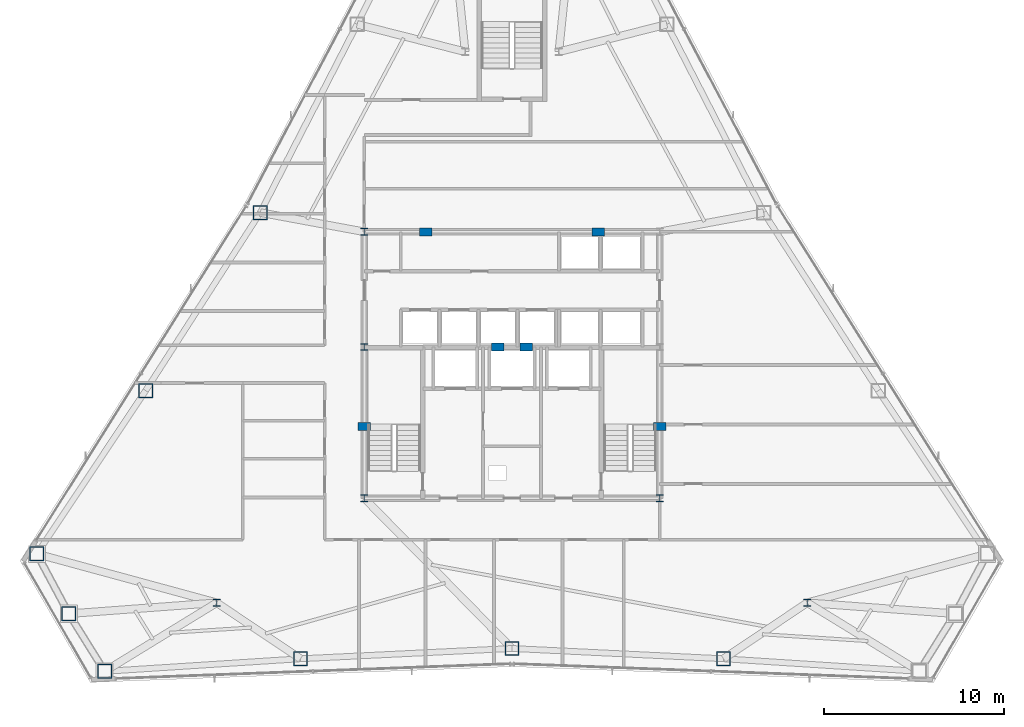
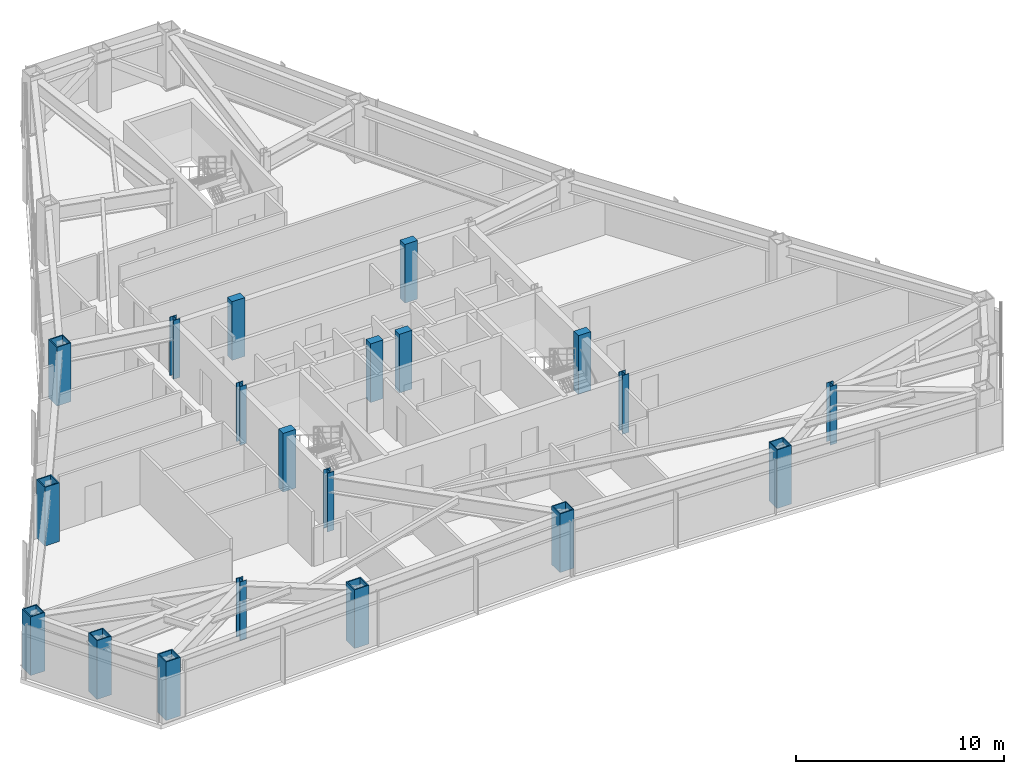
# One storey, part 1 of 13: 20 columns.
"""IFC4 building model written with IfcOpenShell, lengths in metres."""

from ifc_helpers import new_model, si_unit, direction, frame, origin, origin_2d, place, context, subcontext, project, spatial, rectangle, hollow_rectangle, i_section, extrude, material, material_profile, profile_set, type_object, element, save


model = new_model("IFC4")

# Units and contexts
model_context = context("Model", 3, precision=1e-05, world=origin(), true_north=direction((0.0, 1.0)))
body_context = subcontext(model_context, "Body", "Model", "MODEL_VIEW")
ifc_project = project(units=[si_unit("LENGTHUNIT", "METRE"), si_unit("AREAUNIT", "SQUARE_METRE"), si_unit("VOLUMEUNIT", "CUBIC_METRE"), si_unit("PLANEANGLEUNIT", "RADIAN"), si_unit("MASSUNIT", "GRAM", prefix="KILO")], contexts=[model_context])

# Site, building, storey
site_placement = place(None, origin())
site = spatial("IfcSite", under=ifc_project, at=site_placement, CompositionType="ELEMENT")
building_placement = place(site_placement, origin())
building = spatial("IfcBuilding", under=site, at=building_placement, Name="Varakhsha Concourse Tower", CompositionType="ELEMENT")
storey_placement = place(building_placement, frame((0.0, 0.0, 175.800048828125)))
storey = spatial("IfcBuildingStorey", under=building, at=storey_placement, Name="L50", CompositionType="ELEMENT", Elevation=175.800048828125)

# Columns
ifc_material_1 = material(Name="Structural Steel ASTM A992 Grade 50", Category="steel")
ifc_material_profile_1 = material_profile(ifc_material_1, i_section(OverallWidth=0.3740234375, OverallDepth=0.3720703125, WebThickness=0.01611328125, FlangeThickness=0.02587890625, at=origin_2d()), Name="W14X132")
ifc_profile_set_1 = profile_set([ifc_material_profile_1], Name="Structural Steel ASTM A992 Grade 50")
column_type_1 = type_object("IfcColumnType", Name="CL-CORE-W14X132", PredefinedType="COLUMN", material=ifc_profile_set_1)
for number, where, z_axis, x_axis, name in (
    (1, (31.800048828125, 16.39990234375, 0.0), (0.0, 0.0, 1.0), (1.0, 0.0, 0.0), "L50 Core Column CC-SW"),
    (2, (48.199951171875, 16.39990234375, 0.0), (0.0, 0.0, 1.0), (1.0, 0.0, 0.0), "L50 Core Column CC-SE"),
    (3, (31.800048828125, 24.800048828125, 0.0), (0.0, 0.0, 1.0), (1.0, 0.0, 0.0), "L50 Core Column CC-MW"),
    (4, (31.800048828125, 31.199951171875, 0.0), (0.0, 0.0, 1.0), (1.0, 0.0, 0.0), "L50 Core Column CC-NW"),
    (5, (23.60009765625, 10.60009765625, 0.0), (0.0, 0.0, 1.0), (1.0, 0.0, 0.0), "L50 Core Column SS-W"),
    (6, (56.39990234375, 10.60009765625, 0.0), (0.0, 0.0, 1.0), (1.0, 0.0, 0.0), "L50 Core Column SS-E"),
):
    element("IfcColumn", number, at=place(storey_placement, frame(where, z_axis=z_axis, x_axis=x_axis)), inside=storey, type_object=column_type_1, Name=name, PredefinedType="COLUMN", context=body_context, shape_type="SweptSolid", body=[
        extrude(i_section(OverallWidth=0.3740234375, OverallDepth=0.3720703125, WebThickness=0.01611328125, FlangeThickness=0.02587890625, at=origin_2d()), origin(), (0.0, 0.0, 1.0), 3.449951171875),
    ])
ifc_material_2 = material(Name="Concrete fc 65 MPa", Category="concrete")
ifc_material_profile_2 = material_profile(ifc_material_2, rectangle(XDim=0.699951171875, YDim=0.449951171875, at=origin_2d()), Name="RC 700x450")
ifc_profile_set_2 = profile_set([ifc_material_profile_2], Name="Concrete fc 65 MPa")
column_type_2 = type_object("IfcColumnType", Name="CL-PIL-700X450", PredefinedType="PILASTER", material=ifc_profile_set_2)
for number, where, z_axis, x_axis, name in (
    (7, (31.800048828125, 20.39990234375, 0.0), (0.0, 0.0, 1.0), (1.0, 0.0, 0.0), "L50 Core Boundary Pilaster PIL-W1"),
    (8, (48.199951171875, 20.39990234375, 0.0), (0.0, 0.0, 1.0), (1.0, 0.0, 0.0), "L50 Core Boundary Pilaster PIL-E1"),
    (9, (35.199951171875, 31.199951171875, 0.0), (0.0, 0.0, 1.0), (1.0, 0.0, 0.0), "L50 Core Boundary Pilaster PIL-N1"),
    (10, (44.800048828125, 31.199951171875, 0.0), (0.0, 0.0, 1.0), (1.0, 0.0, 0.0), "L50 Core Boundary Pilaster PIL-N2"),
    (11, (39.199951171875, 24.800048828125, 0.0), (0.0, 0.0, 1.0), (1.0, 0.0, 0.0), "L50 Core Boundary Pilaster PIL-M1"),
    (12, (40.800048828125, 24.800048828125, 0.0), (0.0, 0.0, 1.0), (1.0, 0.0, 0.0), "L50 Core Boundary Pilaster PIL-M2"),
):
    element("IfcColumn", number, at=place(storey_placement, frame(where, z_axis=z_axis, x_axis=x_axis)), inside=storey, type_object=column_type_2, Name=name, PredefinedType="PILASTER", context=body_context, shape_type="SweptSolid", body=[
        extrude(rectangle(XDim=0.699951171875, YDim=0.449951171875, at=origin_2d()), origin(), (0.0, 0.0, 1.0), 3.449951171875),
    ])
ifc_material_3 = material(Name="Structural Steel ASTM A572 Grade 50", Category="steel")
ifc_material_profile_3 = material_profile(ifc_material_3, hollow_rectangle(XDim=0.800048828125, YDim=0.800048828125, WallThickness=0.054931640625, at=origin_2d()), Name="BOX 800x800x55")
ifc_profile_set_3 = profile_set([ifc_material_profile_3], Name="Structural Steel ASTM A572 Grade 50")
column_type_3 = type_object("IfcColumnType", Name="CL-TUBE-800", PredefinedType="COLUMN", material=ifc_profile_set_3)
for number, where, z_axis, x_axis, name in (
    (13, (26.023681640625, 32.269287109375, 0.0), (0.0, 0.0, 1.0), (1.0, 0.0, 0.0), "L50 Framed-Tube Column TC05"),
    (14, (19.6572265625, 22.383544921875, 0.0), (0.0, 0.0, 1.0), (1.0, 0.0, 0.0), "L50 Framed-Tube Column TC06"),
    (15, (13.6123046875, 13.314208984375, 0.0), (0.0, 0.0, 1.0), (1.0, 0.0, 0.0), "L50 Framed-Tube Column TC07"),
    (16, (15.388916015625, 9.99072265625, 0.0), (0.0, 0.0, 1.0), (1.0, 0.0, 0.0), "L50 Framed-Tube Column TC08"),
    (17, (17.37890625, 6.79052734375, 0.0), (0.0, 0.0, 1.0), (1.0, 0.0, 0.0), "L50 Framed-Tube Column TC09"),
    (18, (28.255615234375, 7.49072265625, 0.0), (0.0, 0.0, 1.0), (1.0, 0.0, 0.0), "L50 Framed-Tube Column TC10"),
    (19, (40.0, 8.061279296875, 0.0), (0.0, 0.0, 1.0), (1.0, 0.0, 0.0), "L50 Framed-Tube Column TC11"),
    (20, (51.744384765625, 7.49072265625, 0.0), (0.0, 0.0, 1.0), (1.0, 0.0, 0.0), "L50 Framed-Tube Column TC12"),
):
    element("IfcColumn", number, at=place(storey_placement, frame(where, z_axis=z_axis, x_axis=x_axis)), inside=storey, type_object=column_type_3, Name=name, PredefinedType="COLUMN", context=body_context, shape_type="SweptSolid", body=[
        extrude(hollow_rectangle(XDim=0.800048828125, YDim=0.800048828125, WallThickness=0.054931640625, at=origin_2d()), origin(), (0.0, 0.0, 1.0), 3.449951171875),
    ])

save(model, "model.ifc")
